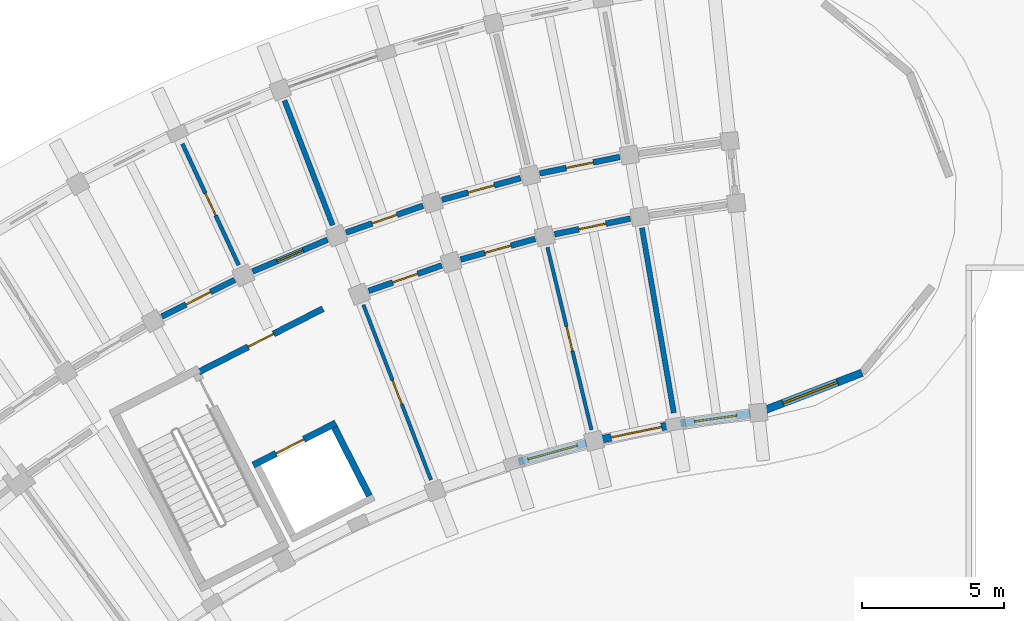
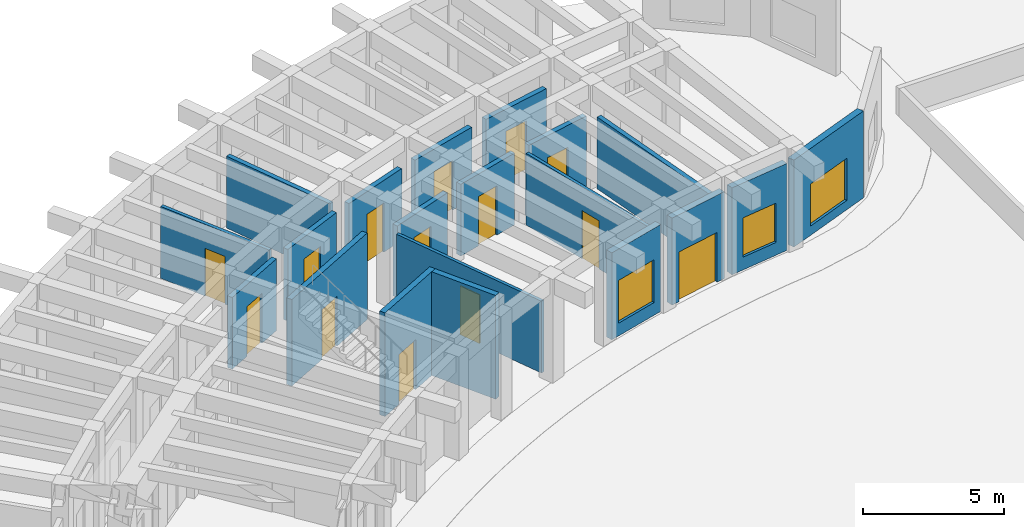
# One storey, part 96 of 132: 20 walls, 14 doors, 3 windows, 17 openings.
"""IFC4 building model written with IfcOpenShell, lengths in metres."""

from ifc_helpers import new_model, si_unit, direction, frame, frame_2d, origin, place, context, subcontext, project, spatial, rectangle, extrude, material, layer, layer_set, type_object, element, fill, save


model = new_model("IFC4")

# Units and contexts
model_context = context("Model", 3, precision=1e-05, world=origin(), true_north=direction((0.0, 1.0)))
body_context = subcontext(model_context, "Body", "Model", "MODEL_VIEW")
ifc_project = project(units=[si_unit("LENGTHUNIT", "METRE"), si_unit("AREAUNIT", "SQUARE_METRE"), si_unit("VOLUMEUNIT", "CUBIC_METRE"), si_unit("PLANEANGLEUNIT", "RADIAN"), si_unit("MASSUNIT", "GRAM", prefix="KILO")], contexts=[model_context])

# Site, building, storey
site_placement = place(None, origin())
site = spatial("IfcSite", under=ifc_project, at=site_placement, CompositionType="ELEMENT")
building_placement = place(site_placement, origin())
building = spatial("IfcBuilding", under=site, at=building_placement, Name="Tanwirah Colonnade Gardens", CompositionType="ELEMENT")
storey_placement = place(building_placement, origin())
storey = spatial("IfcBuildingStorey", under=building, at=storey_placement, Name="L00", CompositionType="ELEMENT", Elevation=0.0)

# Wall, opening, window
ifc_material_1 = material(Name="Limestone architectural precast concrete C40/50", Category="masonry")
ifc_layer_1 = layer(ifc_material_1, 0.27001953125)
ifc_layer_set_1 = layer_set([ifc_layer_1], Name="Limestone architectural precast concrete C40/50")
wall_type_1 = type_object("IfcWallType", Name="EW-PC270", PredefinedType="SOLIDWALL", material=ifc_layer_set_1)
wall_1_placement = place(storey_placement, frame((60.076416015625, 104.3681640625, 0.0), z_axis=(0.0, 0.0, 1.0), x_axis=(-0.990533748482, -0.137269418003, 0.0)))
wall_1 = element("IfcWall", 1, at=wall_1_placement, inside=storey, type_object=wall_type_1, Name="Block A L00 IN Precast Facade Wall 0", PredefinedType="SOLIDWALL", context=body_context, shape_type="SweptSolid", body=[
    extrude(rectangle(XDim=2.470458984375, YDim=0.27001953125, at=frame_2d((1.2353515625, 0.0))), origin(), (0.0, 0.0, 1.0), 3.7548828125),
])
opening_1_placement = place(wall_1_placement, frame((0.485107421875, 0.0, 0.550048828125)))
opening_1 = element("IfcOpeningElement", 2, at=opening_1_placement, cuts=wall_1, Name="Opening WIN-T08", PredefinedType="OPENING", context=body_context, shape_type="SweptSolid", body=[
    extrude(rectangle(XDim=1.5, YDim=1.699951171875, at=frame_2d((0.75, 0.85009765625))), frame((0.0, 0.14501953125, 0.0), z_axis=(0.0, -1.0, 0.0), x_axis=(1.0, 0.0, 0.0)), (0.0, 0.0, 1.0), 0.2900390625),
])
ifc_material_2 = material(Name="Thermally broken bronze aluminium and solar low-E double glazing", Category="aluminium")
window_type_1 = type_object("IfcWindowType", Name="WIN-T08", PartitioningType="DOUBLE_PANEL_VERTICAL", PredefinedType="WINDOW", material=ifc_material_2)
window_1_placement = place(opening_1_placement, origin())
window_1 = element("IfcWindow", 3, at=window_1_placement, inside=storey, type_object=window_type_1, Name="Facade window A-L00-IN-00", OverallHeight=1.699951171875, OverallWidth=1.5, PartitioningType="SINGLE_PANEL", PredefinedType="WINDOW", context=body_context, shape_type="SweptSolid", body=[
    extrude(rectangle(XDim=1.5, YDim=1.699951171875, at=frame_2d((0.75, 0.85009765625))), frame((0.0, 0.030029296875, 0.0), z_axis=(0.0, -1.0, 0.0), x_axis=(1.0, 0.0, 0.0)), (0.0, 0.0, 1.0), 0.06005859375),
])
fill(opening_1, window_1)

# Wall, opening, door
wall_2_placement = place(storey_placement, frame((57.27490234375, 103.968017578125, 0.0), z_axis=(0.0, 0.0, 1.0), x_axis=(-0.9793219046, -0.202308198478, 0.0)))
wall_2 = element("IfcWall", 4, at=wall_2_placement, inside=storey, type_object=wall_type_1, Name="Block A L00 IN Precast Facade Wall 1", PredefinedType="SOLIDWALL", context=body_context, shape_type="SweptSolid", body=[
    extrude(rectangle(XDim=2.47021484375, YDim=0.27001953125, at=frame_2d((1.235107421875, 0.0))), origin(), (0.0, 0.0, 1.0), 3.7548828125),
])
opening_2_placement = place(wall_2_placement, frame((0.335205078125, 0.0, 0.0)))
opening_2 = element("IfcOpeningElement", 5, at=opening_2_placement, cuts=wall_2, Name="Opening L00-ED001", PredefinedType="OPENING", context=body_context, shape_type="SweptSolid", body=[
    extrude(rectangle(XDim=1.800048828125, YDim=2.14990234375, at=frame_2d((0.89990234375, 1.074951171875))), frame((0.0, 0.14501953125, 0.0), z_axis=(0.0, -1.0, 0.0), x_axis=(1.0, 0.0, 0.0)), (0.0, 0.0, 1.0), 0.2900390625),
])
ifc_material_3 = material(Name="Powder-coated galvanized steel fire exit door", Category="steel")
door_type_1 = type_object("IfcDoorType", Name="ED-EXIT18", OperationType="DOUBLE_DOOR_SINGLE_SWING", PredefinedType="DOOR", material=ifc_material_3)
door_1_placement = place(opening_2_placement, origin())
door_1 = element("IfcDoor", 6, at=door_1_placement, inside=storey, type_object=door_type_1, Name="Pedestrian final exit door L00-ED001", OperationType="DOUBLE_DOOR_SINGLE_SWING", OverallHeight=2.14990234375, OverallWidth=1.800048828125, PredefinedType="DOOR", context=body_context, shape_type="SweptSolid", body=[
    extrude(rectangle(XDim=1.800048828125, YDim=2.14990234375, at=frame_2d((0.89990234375, 1.074951171875))), frame((0.0, 0.02490234375, 0.0), z_axis=(0.0, -1.0, 0.0), x_axis=(1.0, 0.0, 0.0)), (0.0, 0.0, 1.0), 0.050048828125),
])
fill(opening_2, door_1)

# Wall, opening, window
wall_3_placement = place(storey_placement, frame((54.3115234375, 103.337158203125, 0.0), z_axis=(0.0, 0.0, 1.0), x_axis=(-0.963903451939, -0.266252014716, 0.0)))
wall_3 = element("IfcWall", 7, at=wall_3_placement, inside=storey, type_object=wall_type_1, Name="Block A L00 IN Precast Facade Wall 2", PredefinedType="SOLIDWALL", context=body_context, shape_type="SweptSolid", body=[
    extrude(rectangle(XDim=2.47021484375, YDim=0.27001953125, at=frame_2d((1.235107421875, 0.0))), origin(), (0.0, 0.0, 1.0), 3.7548828125),
])
opening_3_placement = place(wall_3_placement, frame((0.335205078125, 0.0, 0.550048828125)))
opening_3 = element("IfcOpeningElement", 8, at=opening_3_placement, cuts=wall_3, Name="Opening WIN-T14", PredefinedType="OPENING", context=body_context, shape_type="SweptSolid", body=[
    extrude(rectangle(XDim=1.800048828125, YDim=1.85009765625, at=frame_2d((0.89990234375, 0.925048828125))), frame((0.0, 0.14501953125, 0.0), z_axis=(0.0, -1.0, 0.0), x_axis=(1.0, 0.0, 0.0)), (0.0, 0.0, 1.0), 0.2900390625),
])
window_type_2 = type_object("IfcWindowType", Name="WIN-T14", PartitioningType="TRIPLE_PANEL_VERTICAL", PredefinedType="WINDOW", material=ifc_material_2)
window_2_placement = place(opening_3_placement, origin())
window_2 = element("IfcWindow", 9, at=window_2_placement, inside=storey, type_object=window_type_2, Name="Facade window A-L00-IN-02", OverallHeight=1.85009765625, OverallWidth=1.800048828125, PartitioningType="SINGLE_PANEL", PredefinedType="WINDOW", context=body_context, shape_type="SweptSolid", body=[
    extrude(rectangle(XDim=1.800048828125, YDim=1.85009765625, at=frame_2d((0.89990234375, 0.925048828125))), frame((0.0, 0.030029296875, 0.0), z_axis=(0.0, -1.0, 0.0), x_axis=(1.0, 0.0, 0.0)), (0.0, 0.0, 1.0), 0.06005859375),
])
fill(opening_3, window_2)

wall_4_placement = place(storey_placement, frame((64.002197265625, 105.80712890625, 0.0), z_axis=(0.0, 0.0, 1.0), x_axis=(-0.93356922619, -0.35839712598, 0.0)))
wall_4 = element("IfcWall", 10, at=wall_4_placement, inside=storey, type_object=wall_type_1, Name="Block A L00 START Rounded End Wall 5", PredefinedType="SOLIDWALL", context=body_context, shape_type="SweptSolid", body=[
    extrude(rectangle(XDim=3.907958984375, YDim=0.27001953125, at=frame_2d((1.9541015625, 0.0))), origin(), (0.0, 0.0, 1.0), 3.7548828125),
])
opening_4_placement = place(wall_4_placement, frame((0.92919921875, 0.0, 0.39990234375)))
opening_4 = element("IfcOpeningElement", 11, at=opening_4_placement, cuts=wall_4, Name="Opening WIN-END3", PredefinedType="OPENING", context=body_context, shape_type="SweptSolid", body=[
    extrude(rectangle(XDim=2.050048828125, YDim=1.820068359375, at=frame_2d((1.02490234375, 0.91015625))), frame((0.0, 0.14501953125, 0.0), z_axis=(0.0, -1.0, 0.0), x_axis=(1.0, 0.0, 0.0)), (0.0, 0.0, 1.0), 0.2900390625),
])
window_type_3 = type_object("IfcWindowType", Name="WIN-END3", PartitioningType="TRIPLE_PANEL_VERTICAL", PredefinedType="WINDOW", material=ifc_material_2)
window_3_placement = place(opening_4_placement, origin())
window_3 = element("IfcWindow", 12, at=window_3_placement, inside=storey, type_object=window_type_3, Name="Rounded corner window A-L00-START-5", OverallHeight=1.820068359375, OverallWidth=2.050048828125, PartitioningType="SINGLE_PANEL", PredefinedType="WINDOW", context=body_context, shape_type="SweptSolid", body=[
    extrude(rectangle(XDim=2.050048828125, YDim=1.820068359375, at=frame_2d((1.02490234375, 0.91015625))), frame((0.0, 0.030029296875, 0.0), z_axis=(0.0, -1.0, 0.0), x_axis=(1.0, 0.0, 0.0)), (0.0, 0.0, 1.0), 0.06005859375),
])
fill(opening_4, window_3)

# Wall, opening, door
ifc_material_4 = material(Name="Precast concrete C40/50", Category="concrete")
ifc_layer_2 = layer(ifc_material_4, 0.205078125)
ifc_layer_set_2 = layer_set([ifc_layer_2], Name="Precast concrete C40/50")
wall_type_2 = type_object("IfcWallType", Name="IW-CORR205", PredefinedType="PARTITIONING", material=ifc_layer_set_2)
wall_5_placement = place(storey_placement, frame((55.47802734375, 113.39404296875, 0.0), z_axis=(0.0, 0.0, 1.0), x_axis=(-0.979348418612, -0.202179808492, 0.0)))
wall_5 = element("IfcWall", 13, at=wall_5_placement, inside=storey, type_object=wall_type_2, Name="Block A L00 OUT Corridor Wall 1", PredefinedType="PARTITIONING", context=body_context, shape_type="SweptSolid", body=[
    extrude(rectangle(XDim=2.863037109375, YDim=0.205078125, at=frame_2d((1.431640625, 0.0))), origin(), (0.0, 0.0, 1.0), 3.10009765625),
])
opening_5_placement = place(wall_5_placement, frame((0.946533203125, 0.0, 0.0)))
opening_5 = element("IfcOpeningElement", 14, at=opening_5_placement, cuts=wall_5, Name="Opening L00-AD224", PredefinedType="OPENING", context=body_context, shape_type="SweptSolid", body=[
    extrude(rectangle(XDim=0.969970703125, YDim=2.14990234375, at=frame_2d((0.48486328125, 1.074951171875))), frame((0.0, 0.112548828125, 0.0), z_axis=(0.0, -1.0, 0.0), x_axis=(1.0, 0.0, 0.0)), (0.0, 0.0, 1.0), 0.22509765625),
])
ifc_material_5 = material(Name="Solid oak fire-resisting apartment entrance door")
door_type_2 = type_object("IfcDoorType", Name="ID-FLT097", OperationType="NOTDEFINED", PredefinedType="DOOR", material=ifc_material_5)
door_2_placement = place(opening_5_placement, origin())
door_2 = element("IfcDoor", 15, at=door_2_placement, inside=storey, type_object=door_type_2, Name="Apartment corridor door L00-AD224", OperationType="SINGLE_SWING_RIGHT", OverallHeight=2.14990234375, OverallWidth=0.969970703125, PredefinedType="DOOR", context=body_context, shape_type="SweptSolid", body=[
    extrude(rectangle(XDim=0.969970703125, YDim=2.14990234375, at=frame_2d((0.48486328125, 1.074951171875))), frame((0.0, 0.02490234375, 0.0), z_axis=(0.0, -1.0, 0.0), x_axis=(1.0, 0.0, 0.0)), (0.0, 0.0, 1.0), 0.050048828125),
])
fill(opening_5, door_2)

wall_6_placement = place(storey_placement, frame((55.851806640625, 111.22607421875, 0.0), z_axis=(0.0, 0.0, 1.0), x_axis=(-0.979349423541, -0.202174940608, 0.0)))
wall_6 = element("IfcWall", 16, at=wall_6_placement, inside=storey, type_object=wall_type_2, Name="Block A L00 IN Corridor Wall 1", PredefinedType="PARTITIONING", context=body_context, shape_type="SweptSolid", body=[
    extrude(rectangle(XDim=2.71826171875, YDim=0.205078125, at=frame_2d((1.359130859375, 0.0))), origin(), (0.0, 0.0, 1.0), 3.10009765625),
])
opening_6_placement = place(wall_6_placement, frame((0.8740234375, 0.0, 0.0)))
opening_6 = element("IfcOpeningElement", 17, at=opening_6_placement, cuts=wall_6, Name="Opening L00-AD225", PredefinedType="OPENING", context=body_context, shape_type="SweptSolid", body=[
    extrude(rectangle(XDim=0.969970703125, YDim=2.14990234375, at=frame_2d((0.48486328125, 1.074951171875))), frame((0.0, 0.112548828125, 0.0), z_axis=(0.0, -1.0, 0.0), x_axis=(1.0, 0.0, 0.0)), (0.0, 0.0, 1.0), 0.22509765625),
])
door_3_placement = place(opening_6_placement, origin())
door_3 = element("IfcDoor", 18, at=door_3_placement, inside=storey, type_object=door_type_2, Name="Apartment corridor door L00-AD225", OperationType="SINGLE_SWING_LEFT", OverallHeight=2.14990234375, OverallWidth=0.969970703125, PredefinedType="DOOR", context=body_context, shape_type="SweptSolid", body=[
    extrude(rectangle(XDim=0.969970703125, YDim=2.14990234375, at=frame_2d((0.48486328125, 1.074951171875))), frame((0.0, 0.02490234375, 0.0), z_axis=(0.0, -1.0, 0.0), x_axis=(1.0, 0.0, 0.0)), (0.0, 0.0, 1.0), 0.050048828125),
])
fill(opening_6, door_3)

wall_7_placement = place(storey_placement, frame((51.993896484375, 112.651123046875, 0.0), z_axis=(0.0, 0.0, 1.0), x_axis=(-0.963890789093, -0.266297853356, 0.0)))
wall_7 = element("IfcWall", 19, at=wall_7_placement, inside=storey, type_object=wall_type_2, Name="Block A L00 OUT Corridor Wall 2", PredefinedType="PARTITIONING", context=body_context, shape_type="SweptSolid", body=[
    extrude(rectangle(XDim=2.863037109375, YDim=0.205078125, at=frame_2d((1.431640625, 0.0))), origin(), (0.0, 0.0, 1.0), 3.10009765625),
])
opening_7_placement = place(wall_7_placement, frame((0.95654296875, 0.0, 0.0)))
opening_7 = element("IfcOpeningElement", 20, at=opening_7_placement, cuts=wall_7, Name="Opening L00-AD227", PredefinedType="OPENING", context=body_context, shape_type="SweptSolid", body=[
    extrude(rectangle(XDim=0.949951171875, YDim=2.1298828125, at=frame_2d((0.47509765625, 1.06494140625))), frame((0.0, 0.112548828125, 0.0), z_axis=(0.0, -1.0, 0.0), x_axis=(1.0, 0.0, 0.0)), (0.0, 0.0, 1.0), 0.22509765625),
])
door_type_3 = type_object("IfcDoorType", Name="ID-FLT095", OperationType="NOTDEFINED", PredefinedType="DOOR", material=ifc_material_5)
door_4_placement = place(opening_7_placement, origin())
door_4 = element("IfcDoor", 21, at=door_4_placement, inside=storey, type_object=door_type_3, Name="Apartment corridor door L00-AD227", OperationType="SINGLE_SWING_LEFT", OverallHeight=2.1298828125, OverallWidth=0.949951171875, PredefinedType="DOOR", context=body_context, shape_type="SweptSolid", body=[
    extrude(rectangle(XDim=0.949951171875, YDim=2.1298828125, at=frame_2d((0.47509765625, 1.06494140625))), frame((0.0, 0.02490234375, 0.0), z_axis=(0.0, -1.0, 0.0), x_axis=(1.0, 0.0, 0.0)), (0.0, 0.0, 1.0), 0.050048828125),
])
fill(opening_7, door_4)

wall_8_placement = place(storey_placement, frame((52.509521484375, 110.512451171875, 0.0), z_axis=(0.0, 0.0, 1.0), x_axis=(-0.96388375821, -0.266323301006, 0.0)))
wall_8 = element("IfcWall", 22, at=wall_8_placement, inside=storey, type_object=wall_type_2, Name="Block A L00 IN Corridor Wall 2", PredefinedType="PARTITIONING", context=body_context, shape_type="SweptSolid", body=[
    extrude(rectangle(XDim=2.718017578125, YDim=0.205078125, at=frame_2d((1.35888671875, 0.0))), origin(), (0.0, 0.0, 1.0), 3.10009765625),
])
opening_8_placement = place(wall_8_placement, frame((0.884033203125, 0.0, 0.0)))
opening_8 = element("IfcOpeningElement", 23, at=opening_8_placement, cuts=wall_8, Name="Opening L00-AD228", PredefinedType="OPENING", context=body_context, shape_type="SweptSolid", body=[
    extrude(rectangle(XDim=0.949951171875, YDim=2.1298828125, at=frame_2d((0.47509765625, 1.06494140625))), frame((0.0, 0.112548828125, 0.0), z_axis=(0.0, -1.0, 0.0), x_axis=(1.0, 0.0, 0.0)), (0.0, 0.0, 1.0), 0.22509765625),
])
door_5_placement = place(opening_8_placement, origin())
door_5 = element("IfcDoor", 24, at=door_5_placement, inside=storey, type_object=door_type_3, Name="Apartment corridor door L00-AD228", OperationType="SINGLE_SWING_RIGHT", OverallHeight=2.1298828125, OverallWidth=0.949951171875, PredefinedType="DOOR", context=body_context, shape_type="SweptSolid", body=[
    extrude(rectangle(XDim=0.949951171875, YDim=2.1298828125, at=frame_2d((0.47509765625, 1.06494140625))), frame((0.0, 0.02490234375, 0.0), z_axis=(0.0, -1.0, 0.0), x_axis=(1.0, 0.0, 0.0)), (0.0, 0.0, 1.0), 0.050048828125),
])
fill(opening_8, door_5)

wall_9_placement = place(storey_placement, frame((48.56640625, 111.68017578125, 0.0), z_axis=(0.0, 0.0, 1.0), x_axis=(-0.944253820929, -0.329218349522, 0.0)))
wall_9 = element("IfcWall", 25, at=wall_9_placement, inside=storey, type_object=wall_type_2, Name="Block A L00 OUT Corridor Wall 3", PredefinedType="PARTITIONING", context=body_context, shape_type="SweptSolid", body=[
    extrude(rectangle(XDim=2.86328125, YDim=0.205078125, at=frame_2d((1.431640625, 0.0))), origin(), (0.0, 0.0, 1.0), 3.10009765625),
])
opening_9_placement = place(wall_9_placement, frame((0.966552734375, 0.0, 0.0)))
opening_9 = element("IfcOpeningElement", 26, at=opening_9_placement, cuts=wall_9, Name="Opening L00-AD229", PredefinedType="OPENING", context=body_context, shape_type="SweptSolid", body=[
    extrude(rectangle(XDim=0.929931640625, YDim=2.1201171875, at=frame_2d((0.46484375, 1.06005859375))), frame((0.0, 0.112548828125, 0.0), z_axis=(0.0, -1.0, 0.0), x_axis=(1.0, 0.0, 0.0)), (0.0, 0.0, 1.0), 0.22509765625),
])
door_type_4 = type_object("IfcDoorType", Name="ID-FLT093", OperationType="NOTDEFINED", PredefinedType="DOOR", material=ifc_material_5)
door_6_placement = place(opening_9_placement, origin())
door_6 = element("IfcDoor", 27, at=door_6_placement, inside=storey, type_object=door_type_4, Name="Apartment corridor door L00-AD229", OperationType="SINGLE_SWING_RIGHT", OverallHeight=2.1201171875, OverallWidth=0.929931640625, PredefinedType="DOOR", context=body_context, shape_type="SweptSolid", body=[
    extrude(rectangle(XDim=0.929931640625, YDim=2.1201171875, at=frame_2d((0.46484375, 1.06005859375))), frame((0.0, 0.02490234375, 0.0), z_axis=(0.0, -1.0, 0.0), x_axis=(1.0, 0.0, 0.0)), (0.0, 0.0, 1.0), 0.050048828125),
])
fill(opening_9, door_6)

wall_10_placement = place(storey_placement, frame((49.221923828125, 109.580078125, 0.0), z_axis=(0.0, 0.0, 1.0), x_axis=(-0.944265123647, -0.329185929627, 0.0)))
wall_10 = element("IfcWall", 28, at=wall_10_placement, inside=storey, type_object=wall_type_2, Name="Block A L00 IN Corridor Wall 3", PredefinedType="PARTITIONING", context=body_context, shape_type="SweptSolid", body=[
    extrude(rectangle(XDim=2.71826171875, YDim=0.205078125, at=frame_2d((1.359130859375, 0.0))), origin(), (0.0, 0.0, 1.0), 3.10009765625),
])
opening_10_placement = place(wall_10_placement, frame((0.89404296875, 0.0, 0.0)))
opening_10 = element("IfcOpeningElement", 29, at=opening_10_placement, cuts=wall_10, Name="Opening L00-AD230", PredefinedType="OPENING", context=body_context, shape_type="SweptSolid", body=[
    extrude(rectangle(XDim=0.929931640625, YDim=2.1201171875, at=frame_2d((0.46484375, 1.06005859375))), frame((0.0, 0.112548828125, 0.0), z_axis=(0.0, -1.0, 0.0), x_axis=(1.0, 0.0, 0.0)), (0.0, 0.0, 1.0), 0.22509765625),
])
door_7_placement = place(opening_10_placement, origin())
door_7 = element("IfcDoor", 30, at=door_7_placement, inside=storey, type_object=door_type_4, Name="Apartment corridor door L00-AD230", OperationType="SINGLE_SWING_LEFT", OverallHeight=2.1201171875, OverallWidth=0.929931640625, PredefinedType="DOOR", context=body_context, shape_type="SweptSolid", body=[
    extrude(rectangle(XDim=0.929931640625, YDim=2.1201171875, at=frame_2d((0.46484375, 1.06005859375))), frame((0.0, 0.02490234375, 0.0), z_axis=(0.0, -1.0, 0.0), x_axis=(1.0, 0.0, 0.0)), (0.0, 0.0, 1.0), 0.050048828125),
])
fill(opening_10, door_7)

wall_11_placement = place(storey_placement, frame((45.210205078125, 110.485595703125, 0.0), z_axis=(0.0, 0.0, 1.0), x_axis=(-0.920511160294, -0.390716270168, 0.0)))
wall_11 = element("IfcWall", 31, at=wall_11_placement, inside=storey, type_object=wall_type_2, Name="Block A L00 OUT Corridor Wall 4", PredefinedType="PARTITIONING", context=body_context, shape_type="SweptSolid", body=[
    extrude(rectangle(XDim=2.863037109375, YDim=0.205078125, at=frame_2d((1.431640625, 0.0))), origin(), (0.0, 0.0, 1.0), 3.10009765625),
])
opening_11_placement = place(wall_11_placement, frame((0.9365234375, 0.0, 0.0)))
opening_11 = element("IfcOpeningElement", 32, at=opening_11_placement, cuts=wall_11, Name="Opening L00-AD232", PredefinedType="OPENING", context=body_context, shape_type="SweptSolid", body=[
    extrude(rectangle(XDim=0.989990234375, YDim=2.159912109375, at=frame_2d((0.4951171875, 1.080078125))), frame((0.0, 0.112548828125, 0.0), z_axis=(0.0, -1.0, 0.0), x_axis=(1.0, 0.0, 0.0)), (0.0, 0.0, 1.0), 0.22509765625),
])
door_type_5 = type_object("IfcDoorType", Name="ID-FLT099", OperationType="NOTDEFINED", PredefinedType="DOOR", material=ifc_material_5)
door_8_placement = place(opening_11_placement, origin())
door_8 = element("IfcDoor", 33, at=door_8_placement, inside=storey, type_object=door_type_5, Name="Apartment corridor door L00-AD232", OperationType="SINGLE_SWING_LEFT", OverallHeight=2.159912109375, OverallWidth=0.989990234375, PredefinedType="DOOR", context=body_context, shape_type="SweptSolid", body=[
    extrude(rectangle(XDim=0.989990234375, YDim=2.159912109375, at=frame_2d((0.4951171875, 1.080078125))), frame((0.0, 0.02490234375, 0.0), z_axis=(0.0, -1.0, 0.0), x_axis=(1.0, 0.0, 0.0)), (0.0, 0.0, 1.0), 0.050048828125),
])
fill(opening_11, door_8)

wall_12_placement = place(storey_placement, frame((41.93994140625, 109.072509765625, 0.0), z_axis=(0.0, 0.0, 1.0), x_axis=(-0.89273239336, -0.450587254419, 0.0)))
wall_12 = element("IfcWall", 34, at=wall_12_placement, inside=storey, type_object=wall_type_2, Name="Block A L00 OUT Corridor Wall 5", PredefinedType="PARTITIONING", context=body_context, shape_type="SweptSolid", body=[
    extrude(rectangle(XDim=2.863037109375, YDim=0.205078125, at=frame_2d((1.431640625, 0.0))), origin(), (0.0, 0.0, 1.0), 3.10009765625),
])
opening_12_placement = place(wall_12_placement, frame((0.946533203125, 0.0, 0.0)))
opening_12 = element("IfcOpeningElement", 35, at=opening_12_placement, cuts=wall_12, Name="Opening L00-AD234", PredefinedType="OPENING", context=body_context, shape_type="SweptSolid", body=[
    extrude(rectangle(XDim=0.969970703125, YDim=2.14990234375, at=frame_2d((0.48486328125, 1.074951171875))), frame((0.0, 0.112548828125, 0.0), z_axis=(0.0, -1.0, 0.0), x_axis=(1.0, 0.0, 0.0)), (0.0, 0.0, 1.0), 0.22509765625),
])
door_9_placement = place(opening_12_placement, origin())
door_9 = element("IfcDoor", 36, at=door_9_placement, inside=storey, type_object=door_type_2, Name="Apartment corridor door L00-AD234", OperationType="SINGLE_SWING_RIGHT", OverallHeight=2.14990234375, OverallWidth=0.969970703125, PredefinedType="DOOR", context=body_context, shape_type="SweptSolid", body=[
    extrude(rectangle(XDim=0.969970703125, YDim=2.14990234375, at=frame_2d((0.48486328125, 1.074951171875))), frame((0.0, 0.02490234375, 0.0), z_axis=(0.0, -1.0, 0.0), x_axis=(1.0, 0.0, 0.0)), (0.0, 0.0, 1.0), 0.050048828125),
])
fill(opening_12, door_9)

# Walls
ifc_layer_3 = layer(ifc_material_4, 0.18505859375)
ifc_layer_set_3 = layer_set([ifc_layer_3], Name="Precast concrete C40/50")
wall_type_3 = type_object("IfcWallType", Name="IW-DEM185", PredefinedType="PARTITIONING", material=ifc_layer_set_3)
wall_13_placement = place(storey_placement, frame((57.38330078125, 104.3984375, 0.0), z_axis=(0.0, 0.0, 1.0), x_axis=(-0.169825160084, 0.985474208187, 0.0)))
element("IfcWall", 37, at=wall_13_placement, inside=storey, type_object=wall_type_3, Name="Block A L00 Inner Radial Partition 0", PredefinedType="PARTITIONING", context=body_context, shape_type="SweptSolid", body=[
    extrude(rectangle(XDim=6.60009765625, YDim=0.18505859375, at=frame_2d((3.300048828125, 0.0))), origin(), (0.0, 0.0, 1.0), 3.10009765625),
])
wall_14_placement = place(storey_placement, frame((45.388427734375, 110.99560546875, 0.0), z_axis=(0.0, 0.0, 1.0), x_axis=(-0.360186633854, 0.932880264982, 0.0)))
element("IfcWall", 38, at=wall_14_placement, inside=storey, type_object=wall_type_3, Name="Block A L00 Radial Partition 3", PredefinedType="PARTITIONING", context=body_context, shape_type="SweptSolid", body=[
    extrude(rectangle(XDim=4.699951171875, YDim=0.18505859375, at=frame_2d((2.35009765625, 0.0))), origin(), (0.0, 0.0, 1.0), 3.10009765625),
])

# Wall, opening, door
ifc_material_6 = material(Name="Autoclaved aerated masonry blockwork", Category="masonry")
ifc_layer_4 = layer(ifc_material_6, 0.219970703125)
ifc_layer_set_4 = layer_set([ifc_layer_4], Name="Autoclaved aerated masonry blockwork")
wall_type_4 = type_object("IfcWallType", Name="IW-FFL220", PredefinedType="PARTITIONING", material=ifc_layer_set_4)
wall_15_placement = place(storey_placement, frame((40.68212890625, 105.833740234375, 0.0), z_axis=(0.0, 0.0, 1.0), x_axis=(0.891003372311, 0.453996685595, 0.0)))
wall_15 = element("IfcWall", 39, at=wall_15_placement, inside=storey, type_object=wall_type_4, Name="CORE-A1 L00 Enclosed Lobby Fire Wall", PredefinedType="PARTITIONING", context=body_context, shape_type="SweptSolid", body=[
    extrude(rectangle(XDim=4.900146484375, YDim=0.219970703125, at=frame_2d((2.4501953125, 0.0))), origin(), (0.0, 0.0, 1.0), 3.739990234375),
])
opening_13_placement = place(wall_15_placement, frame((1.949951171875, 0.0, 0.0)))
opening_13 = element("IfcOpeningElement", 40, at=opening_13_placement, cuts=wall_15, Name="Opening L00-LD018", PredefinedType="OPENING", context=body_context, shape_type="SweptSolid", body=[
    extrude(rectangle(XDim=1.0, YDim=2.14990234375, at=frame_2d((0.5, 1.074951171875))), frame((0.0, 0.119873046875, 0.0), z_axis=(0.0, -1.0, 0.0), x_axis=(1.0, 0.0, 0.0)), (0.0, 0.0, 1.0), 0.239990234375),
])
ifc_material_7 = material(Name="Acoustic fire-resisting lobby door")
door_type_6 = type_object("IfcDoorType", Name="ID-FFL100", OperationType="NOTDEFINED", PredefinedType="DOOR", material=ifc_material_7)
door_10_placement = place(opening_13_placement, origin())
door_10 = element("IfcDoor", 41, at=door_10_placement, inside=storey, type_object=door_type_6, Name="CORE-A1 L00 Lobby Fire Door L00-LD018", OperationType="SINGLE_SWING_LEFT", OverallHeight=2.14990234375, OverallWidth=1.0, PredefinedType="DOOR", context=body_context, shape_type="SweptSolid", body=[
    extrude(rectangle(XDim=1.0, YDim=2.14990234375, at=frame_2d((0.5, 1.074951171875))), frame((0.0, 0.02490234375, 0.0), z_axis=(0.0, -1.0, 0.0), x_axis=(1.0, 0.0, 0.0)), (0.0, 0.0, 1.0), 0.050048828125),
])
fill(opening_13, door_10)

ifc_material_8 = material(Name="Moisture-resistant gypsum stud partition")
ifc_layer_5 = layer(ifc_material_8, 0.125)
ifc_layer_set_5 = layer_set([ifc_layer_5], Name="Moisture-resistant gypsum stud partition")
wall_type_5 = type_object("IfcWallType", Name="IW-INT125", PredefinedType="PARTITIONING", material=ifc_layer_set_5)
wall_16_placement = place(storey_placement, frame((54.48779296875, 103.800537109375, 0.0), z_axis=(0.0, 0.0, 1.0), x_axis=(-0.234406698576, 0.972138621629, 0.0)))
wall_16 = element("IfcWall", 42, at=wall_16_placement, inside=storey, type_object=wall_type_5, Name="Block A L00 Inner Radial Partition 1", PredefinedType="PARTITIONING", context=body_context, shape_type="SweptSolid", body=[
    extrude(rectangle(XDim=6.60009765625, YDim=0.125, at=frame_2d((3.300048828125, 0.0))), origin(), (0.0, 0.0, 1.0), 3.10009765625),
])
opening_14_placement = place(wall_16_placement, frame((2.864990234375, 0.0, 0.0)))
opening_14 = element("IfcOpeningElement", 43, at=opening_14_placement, cuts=wall_16, Name="Opening L00-RD226", PredefinedType="OPENING", context=body_context, shape_type="SweptSolid", body=[
    extrude(rectangle(XDim=0.8701171875, YDim=2.080078125, at=frame_2d((0.43505859375, 1.0400390625))), frame((0.0, 0.072509765625, 0.0), z_axis=(0.0, -1.0, 0.0), x_axis=(1.0, 0.0, 0.0)), (0.0, 0.0, 1.0), 0.14501953125),
])
ifc_material_9 = material(Name="Painted hardwood study door", Category="wood")
door_type_7 = type_object("IfcDoorType", Name="ID-RM087", OperationType="NOTDEFINED", PredefinedType="DOOR", material=ifc_material_9)
door_11_placement = place(opening_14_placement, origin())
door_11 = element("IfcDoor", 44, at=door_11_placement, inside=storey, type_object=door_type_7, Name="Internal apartment door L00-RD226", OperationType="SINGLE_SWING_LEFT", OverallHeight=2.080078125, OverallWidth=0.8701171875, PredefinedType="DOOR", context=body_context, shape_type="SweptSolid", body=[
    extrude(rectangle(XDim=0.8701171875, YDim=2.080078125, at=frame_2d((0.43505859375, 1.0400390625))), frame((0.0, 0.02490234375, 0.0), z_axis=(0.0, -1.0, 0.0), x_axis=(1.0, 0.0, 0.0)), (0.0, 0.0, 1.0), 0.050048828125),
])
fill(opening_14, door_11)

wall_17_placement = place(storey_placement, frame((48.845947265625, 102.039794921875, 0.0), z_axis=(0.0, 0.0, 1.0), x_axis=(-0.360183473608, 0.932881485152, 0.0)))
wall_17 = element("IfcWall", 45, at=wall_17_placement, inside=storey, type_object=wall_type_5, Name="Block A L00 Inner Radial Partition 3", PredefinedType="PARTITIONING", context=body_context, shape_type="SweptSolid", body=[
    extrude(rectangle(XDim=6.599853515625, YDim=0.125, at=frame_2d((3.2998046875, 0.0))), origin(), (0.0, 0.0, 1.0), 3.10009765625),
])
opening_15_placement = place(wall_17_placement, frame((2.85498046875, 0.0, 0.0)))
opening_15 = element("IfcOpeningElement", 46, at=opening_15_placement, cuts=wall_17, Name="Opening L00-RD231", PredefinedType="OPENING", context=body_context, shape_type="SweptSolid", body=[
    extrude(rectangle(XDim=0.889892578125, YDim=2.10009765625, at=frame_2d((0.44482421875, 1.050048828125))), frame((0.0, 0.072509765625, 0.0), z_axis=(0.0, -1.0, 0.0), x_axis=(1.0, 0.0, 0.0)), (0.0, 0.0, 1.0), 0.14501953125),
])
ifc_material_10 = material(Name="Painted hardwood bedroom door", Category="wood")
door_type_8 = type_object("IfcDoorType", Name="ID-RM089", OperationType="NOTDEFINED", PredefinedType="DOOR", material=ifc_material_10)
door_12_placement = place(opening_15_placement, origin())
door_12 = element("IfcDoor", 47, at=door_12_placement, inside=storey, type_object=door_type_8, Name="Internal apartment door L00-RD231", OperationType="SINGLE_SWING_LEFT", OverallHeight=2.10009765625, OverallWidth=0.889892578125, PredefinedType="DOOR", context=body_context, shape_type="SweptSolid", body=[
    extrude(rectangle(XDim=0.889892578125, YDim=2.10009765625, at=frame_2d((0.44482421875, 1.050048828125))), frame((0.0, 0.02490234375, 0.0), z_axis=(0.0, -1.0, 0.0), x_axis=(1.0, 0.0, 0.0)), (0.0, 0.0, 1.0), 0.050048828125),
])
fill(opening_15, door_12)

ifc_material_11 = material(Name="Water-resistant acoustic plumbing partition")
ifc_layer_6 = layer(ifc_material_11, 0.139892578125)
ifc_layer_set_6 = layer_set([ifc_layer_6], Name="Water-resistant acoustic plumbing partition")
wall_type_6 = type_object("IfcWallType", Name="IW-WET140", PredefinedType="PLUMBINGWALL", material=ifc_layer_set_6)
wall_18_placement = place(storey_placement, frame((42.084228515625, 109.593017578125, 0.0), z_axis=(0.0, 0.0, 1.0), x_axis=(-0.420862519045, 0.907124434718, 0.0)))
wall_18 = element("IfcWall", 48, at=wall_18_placement, inside=storey, type_object=wall_type_6, Name="Block A L00 Radial Partition 4", PredefinedType="PLUMBINGWALL", context=body_context, shape_type="SweptSolid", body=[
    extrude(rectangle(XDim=4.699951171875, YDim=0.139892578125, at=frame_2d((2.35009765625, 0.0))), origin(), (0.0, 0.0, 1.0), 3.10009765625),
])
opening_16_placement = place(wall_18_placement, frame((1.919921875, 0.0, 0.0)))
opening_16 = element("IfcOpeningElement", 49, at=opening_16_placement, cuts=wall_18, Name="Opening L00-RD233", PredefinedType="OPENING", context=body_context, shape_type="SweptSolid", body=[
    extrude(rectangle(XDim=0.860107421875, YDim=2.06005859375, at=frame_2d((0.43017578125, 1.030029296875))), frame((0.0, 0.079833984375, 0.0), z_axis=(0.0, -1.0, 0.0), x_axis=(1.0, 0.0, 0.0)), (0.0, 0.0, 1.0), 0.159912109375),
])
ifc_material_12 = material(Name="Moisture-resistant bathroom door")
door_type_9 = type_object("IfcDoorType", Name="ID-WET086", OperationType="NOTDEFINED", PredefinedType="DOOR", material=ifc_material_12)
door_13_placement = place(opening_16_placement, origin())
door_13 = element("IfcDoor", 50, at=door_13_placement, inside=storey, type_object=door_type_9, Name="Internal apartment door L00-RD233", OperationType="SINGLE_SWING_LEFT", OverallHeight=2.06005859375, OverallWidth=0.860107421875, PredefinedType="DOOR", context=body_context, shape_type="SweptSolid", body=[
    extrude(rectangle(XDim=0.860107421875, YDim=2.06005859375, at=frame_2d((0.43017578125, 1.030029296875))), frame((0.0, 0.02490234375, 0.0), z_axis=(0.0, -1.0, 0.0), x_axis=(1.0, 0.0, 0.0)), (0.0, 0.0, 1.0), 0.050048828125),
])
fill(opening_16, door_13)

ifc_material_13 = material(Name="Concrete C45/55", Category="concrete")
ifc_layer_7 = layer(ifc_material_13, 0.22998046875)
ifc_layer_set_7 = layer_set([ifc_layer_7], Name="Concrete C45/55")
wall_type_7 = type_object("IfcWallType", Name="SW-LIFT230", PredefinedType="SHEAR", material=ifc_layer_set_7)
wall_19_placement = place(storey_placement, frame((42.5966796875, 102.561279296875, 0.0), z_axis=(0.0, 0.0, 1.0), x_axis=(0.891001200497, 0.454000947921, 0.0)))
wall_19 = element("IfcWall", 51, at=wall_19_placement, inside=storey, type_object=wall_type_7, Name="CORE-A1 L00 Lift Shaft Wall FRONT", PredefinedType="SHEAR", context=body_context, shape_type="SweptSolid", body=[
    extrude(rectangle(XDim=3.259765625, YDim=0.22998046875, at=frame_2d((1.6298828125, 0.0))), origin(), (0.0, 0.0, 1.0), 4.47998046875),
])
opening_17_placement = place(wall_19_placement, frame((0.89990234375, 0.0, 0.0)))
opening_17 = element("IfcOpeningElement", 52, at=opening_17_placement, cuts=wall_19, Name="Opening L00-LD-FL-A1", PredefinedType="OPENING", context=body_context, shape_type="SweptSolid", body=[
    extrude(rectangle(XDim=1.10009765625, YDim=2.14990234375, at=frame_2d((0.550048828125, 1.074951171875))), frame((0.0, 0.125, 0.0), z_axis=(0.0, -1.0, 0.0), x_axis=(1.0, 0.0, 0.0)), (0.0, 0.0, 1.0), 0.25),
])
ifc_material_14 = material(Name="Stainless steel sliding fire lift landing door", Category="steel")
door_type_10 = type_object("IfcDoorType", Name="LD-FF11", OperationType="DOUBLE_DOOR_SLIDING", PredefinedType="DOOR", material=ifc_material_14)
door_14_placement = place(opening_17_placement, origin())
door_14 = element("IfcDoor", 53, at=door_14_placement, inside=storey, type_object=door_type_10, Name="Lift FL-A1 L00 Sliding Landing Door", OperationType="DOUBLE_DOOR_SLIDING", OverallHeight=2.14990234375, OverallWidth=1.10009765625, PredefinedType="DOOR", context=body_context, shape_type="SweptSolid", body=[
    extrude(rectangle(XDim=1.10009765625, YDim=2.14990234375, at=frame_2d((0.550048828125, 1.074951171875))), frame((0.0, 0.02490234375, 0.0), z_axis=(0.0, -1.0, 0.0), x_axis=(1.0, 0.0, 0.0)), (0.0, 0.0, 1.0), 0.050048828125),
])
fill(opening_17, door_14)

# Wall
wall_20_placement = place(storey_placement, frame((45.450927734375, 103.886474609375, 0.0), z_axis=(0.0, 0.0, 1.0), x_axis=(0.454000278178, -0.891001541758, 0.0)))
element("IfcWall", 54, at=wall_20_placement, inside=storey, type_object=wall_type_7, Name="CORE-A1 L00 Lift Shaft Wall SIDEB", PredefinedType="SHEAR", context=body_context, shape_type="SweptSolid", body=[
    extrude(rectangle(XDim=2.699951171875, YDim=0.22998046875, at=frame_2d((1.35009765625, 0.0))), origin(), (0.0, 0.0, 1.0), 4.47998046875),
])

save(model, "model.ifc")
